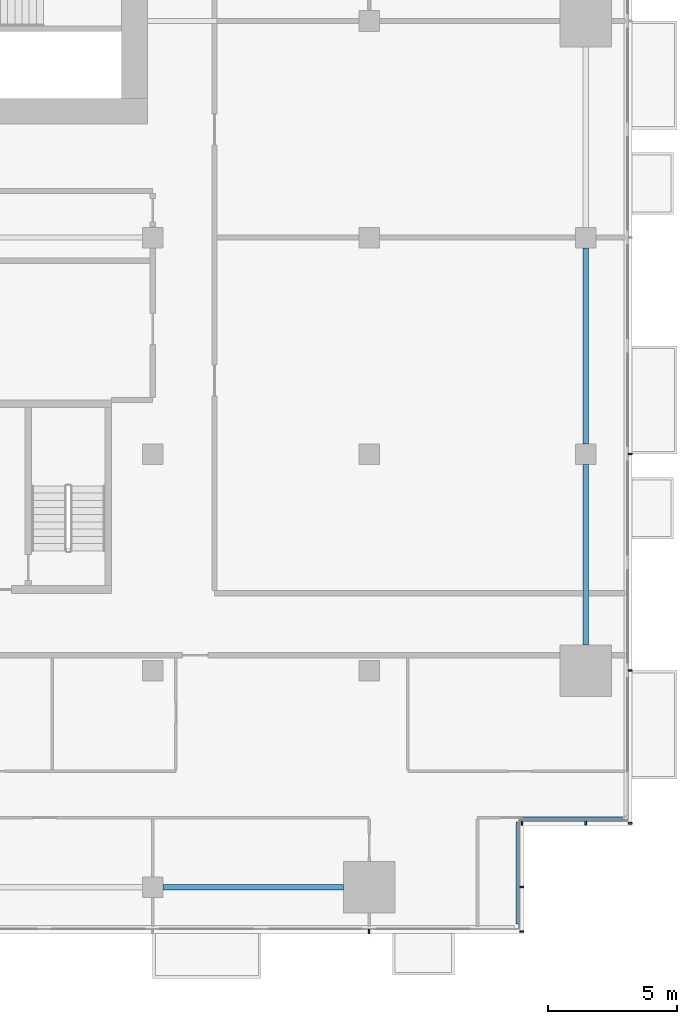
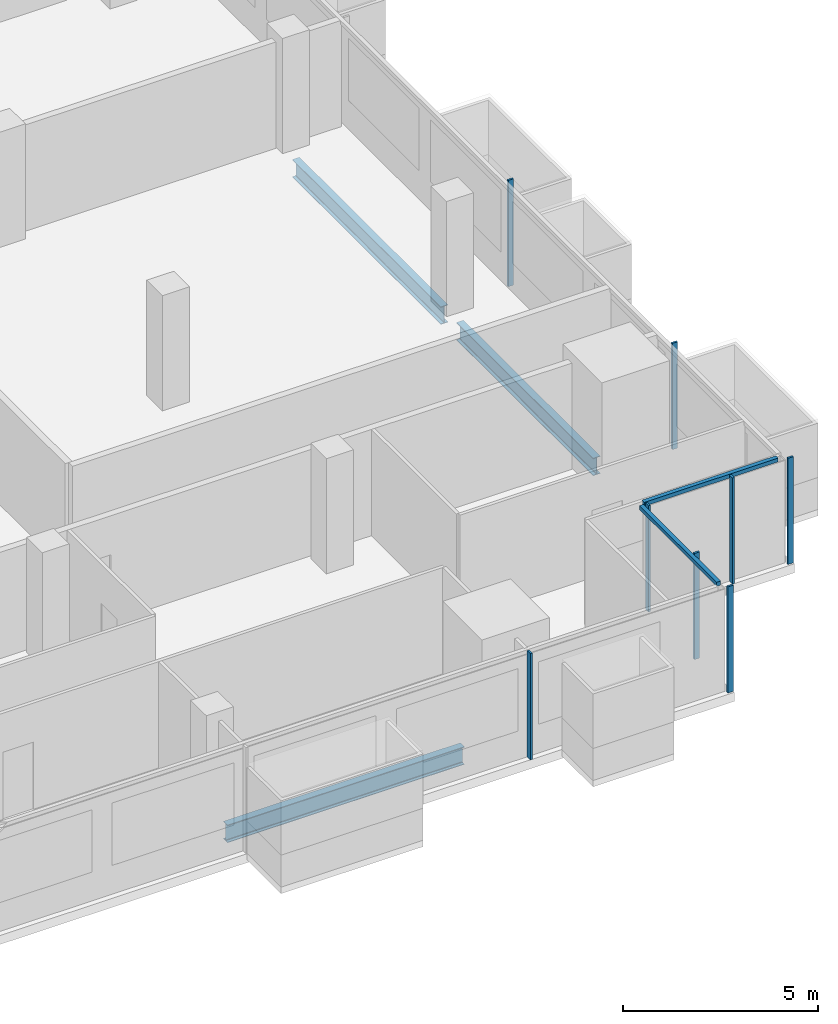
# One storey, part 11 of 26: 10 members, 3 beams, 4 elements without a shape of their own.
"""IFC4 building model written with IfcOpenShell, lengths in metres."""

from ifc_helpers import new_model, si_unit, direction, frame, origin, origin_2d, place, context, subcontext, project, spatial, rectangle, i_section, extrude, material, material_profile, profile_set, type_object, element, aggregate, save


model = new_model("IFC4")

# Units and contexts
model_context = context("Model", 3, precision=1e-05, world=origin(), true_north=direction((0.0, 1.0)))
body_context = subcontext(model_context, "Body", "Model", "MODEL_VIEW")
ifc_project = project(units=[si_unit("LENGTHUNIT", "METRE"), si_unit("AREAUNIT", "SQUARE_METRE"), si_unit("VOLUMEUNIT", "CUBIC_METRE"), si_unit("PLANEANGLEUNIT", "RADIAN"), si_unit("MASSUNIT", "GRAM", prefix="KILO")], contexts=[model_context])

# Site, building, storey
site_placement = place(None, origin())
site = spatial("IfcSite", under=ifc_project, at=site_placement, CompositionType="ELEMENT")
building_placement = place(site_placement, origin())
building = spatial("IfcBuilding", under=site, at=building_placement, Name="Saffron Gate Tower", CompositionType="ELEMENT")
storey_placement = place(building_placement, frame((0.0, 0.0, 98.85009765625)))
storey = spatial("IfcBuildingStorey", under=building, at=storey_placement, Name="L22", CompositionType="ELEMENT", Elevation=98.85009765625)

# Beams
ifc_material_1 = material(Name="Structural steel S355", Category="steel")
ifc_material_profile_1 = material_profile(ifc_material_1, i_section(OverallWidth=0.2099609375, OverallDepth=0.550048828125, WebThickness=0.010986328125, FlangeThickness=0.01708984375, FilletRadius=0.02392578125, at=origin_2d()))
ifc_profile_set_1 = profile_set([ifc_material_profile_1], Name="Structural steel S355")
beam_type = type_object("IfcBeamType", Name="B13 IPE 550", PredefinedType="SPANDREL", material=ifc_profile_set_1)
for number, where, z_axis, x_axis, name in (
    (1, (109.0, 31.800048828125, -0.55517578125), (1.0, 0.0, 0.0), (0.0, 1.0, 0.0), "B13 SPANDREL BEAM"),
    (2, (125.39990234375, 41.199951171875, -0.55517578125), (0.0, 1.0, 0.0), (-1.0, 0.0, 0.0), "B13 SPANDREL BEAM"),
):
    element("IfcBeam", number, at=place(storey_placement, frame(where, z_axis=z_axis, x_axis=x_axis)), inside=storey, type_object=beam_type, Name=name, PredefinedType="SPANDREL", context=body_context, shape_type="SweptSolid", body=[
        extrude(i_section(OverallWidth=0.2099609375, OverallDepth=0.550048828125, WebThickness=0.010986328125, FlangeThickness=0.01708984375, FilletRadius=0.02392578125, at=origin_2d()), origin(), (0.0, 0.0, 1.0), 7.0),
    ])
beam_placement = place(storey_placement, frame((125.39990234375, 49.0, -0.55517578125), z_axis=(0.0, 1.0, 0.0), x_axis=(-1.0, 0.0, 0.0)))
element("IfcBeam", 3, at=beam_placement, inside=storey, type_object=beam_type, Name="B13 SPANDREL BEAM", PredefinedType="SPANDREL", context=body_context, shape_type="SweptSolid", body=[
    extrude(i_section(OverallWidth=0.2099609375, OverallDepth=0.550048828125, WebThickness=0.010986328125, FlangeThickness=0.01708984375, FilletRadius=0.02392578125, at=origin_2d()), origin(), (0.0, 0.0, 1.0), 7.60009765625),
])

# Curtain wall, member
ifc_material_2 = material(Name="Aluminium, bronze anodised", Category="aluminium")
curtain_wall_type_1 = type_object("IfcCurtainWallType", Name="CWS1 curtain wall front facade", PredefinedType="NOTDEFINED", material=ifc_material_2)
curtain_wall_1_placement = place(storey_placement, origin())
curtain_wall_1 = element("IfcCurtainWall", 4, at=curtain_wall_1_placement, inside=storey, type_object=curtain_wall_type_1, Name="CWS1 run 1", PredefinedType="NOTDEFINED")
ifc_material_profile_2 = material_profile(ifc_material_2, rectangle(XDim=0.159912109375, YDim=0.06005859375, at=origin_2d()))
ifc_profile_set_2 = profile_set([ifc_material_profile_2], Name="Aluminium, bronze anodised")
member_type_1 = type_object("IfcMemberType", Name="CWS1 mullion 60x160", PredefinedType="MULLION", material=ifc_profile_set_2)
member_1_placement = place(storey_placement, frame((117.0, 30.080078125, 0.0), z_axis=(0.0, 0.0, 1.0), x_axis=(0.0, 1.0, 0.0)))
member_1 = element("IfcMember", 5, at=member_1_placement, type_object=member_type_1, Name="CWS1 mullion 9", PredefinedType="MULLION", context=body_context, shape_type="SweptSolid", body=[
    extrude(rectangle(XDim=0.159912109375, YDim=0.06005859375, at=origin_2d()), origin(), (0.0, 0.0, 1.0), 3.31982421875),
])
aggregate(curtain_wall_1, [member_1])

# Curtain wall, members
curtain_wall_type_2 = type_object("IfcCurtainWallType", Name="CWS2 curtain wall side facades", PredefinedType="NOTDEFINED", material=ifc_material_2)
curtain_wall_2_placement = place(storey_placement, origin())
curtain_wall_2 = element("IfcCurtainWall", 6, at=curtain_wall_2_placement, inside=storey, type_object=curtain_wall_type_2, Name="CWS2 run 4", PredefinedType="NOTDEFINED")
ifc_material_profile_3 = material_profile(ifc_material_2, rectangle(XDim=0.159912109375, YDim=0.06005859375, at=origin_2d()))
ifc_profile_set_3 = profile_set([ifc_material_profile_3], Name="Aluminium, bronze anodised")
member_type_2 = type_object("IfcMemberType", Name="CWS2 mullion 60x160", PredefinedType="MULLION", material=ifc_profile_set_3)
member_2_placement = place(storey_placement, frame((127.1201171875, 34.280029296875, 0.0), z_axis=(0.0, 0.0, 1.0), x_axis=(-1.0, 0.0, 0.0)))
member_2 = element("IfcMember", 7, at=member_2_placement, type_object=member_type_2, Name="CWS2 mullion 1", PredefinedType="MULLION", context=body_context, shape_type="SweptSolid", body=[
    extrude(rectangle(XDim=0.159912109375, YDim=0.06005859375, at=origin_2d()), origin(), (0.0, 0.0, 1.0), 3.31982421875),
])
member_3_placement = place(storey_placement, frame((127.1201171875, 40.199951171875, 0.0), z_axis=(0.0, 0.0, 1.0), x_axis=(-1.0, 0.0, 0.0)))
member_3 = element("IfcMember", 8, at=member_3_placement, type_object=member_type_2, Name="CWS2 mullion 2", PredefinedType="MULLION", context=body_context, shape_type="SweptSolid", body=[
    extrude(rectangle(XDim=0.159912109375, YDim=0.06005859375, at=origin_2d()), origin(), (0.0, 0.0, 1.0), 3.31982421875),
])
member_4_placement = place(storey_placement, frame((127.1201171875, 48.60009765625, 0.0), z_axis=(0.0, 0.0, 1.0), x_axis=(-1.0, 0.0, 0.0)))
member_4 = element("IfcMember", 9, at=member_4_placement, type_object=member_type_2, Name="CWS2 mullion 3", PredefinedType="MULLION", context=body_context, shape_type="SweptSolid", body=[
    extrude(rectangle(XDim=0.159912109375, YDim=0.06005859375, at=origin_2d()), origin(), (0.0, 0.0, 1.0), 3.31982421875),
])
aggregate(curtain_wall_2, [member_2, member_3, member_4])

# Curtain wall, member
curtain_wall_type_3 = type_object("IfcCurtainWallType", Name="CWS4 curtain wall corner returns", PredefinedType="NOTDEFINED", material=ifc_material_2)
curtain_wall_3_placement = place(storey_placement, origin())
curtain_wall_3 = element("IfcCurtainWall", 10, at=curtain_wall_3_placement, inside=storey, type_object=curtain_wall_type_3, Name="CWS4 run 2", PredefinedType="NOTDEFINED")
ifc_material_profile_4 = material_profile(ifc_material_2, rectangle(XDim=0.1201171875, YDim=0.1201171875, at=origin_2d()))
ifc_profile_set_4 = profile_set([ifc_material_profile_4], Name="Aluminium, bronze anodised")
member_type_3 = type_object("IfcMemberType", Name="CWS4 head transom", PredefinedType="USERDEFINED", material=ifc_profile_set_4)
member_5_placement = place(storey_placement, frame((122.751953125, 30.367919921875, 3.260009765625), z_axis=(0.0, 1.0, 0.0), x_axis=(-1.0, 0.0, 0.0)))
member_5 = element("IfcMember", 11, at=member_5_placement, type_object=member_type_3, Name="CWS4 head transom", ObjectType="TRANSOM", PredefinedType="USERDEFINED", context=body_context, shape_type="SweptSolid", body=[
    extrude(rectangle(XDim=0.1201171875, YDim=0.1201171875, at=origin_2d()), origin(), (0.0, 0.0, 1.0), 3.9599609375),
])

curtain_wall_4_placement = place(storey_placement, origin())
curtain_wall_4 = element("IfcCurtainWall", 12, at=curtain_wall_4_placement, inside=storey, type_object=curtain_wall_type_3, Name="CWS4 run 3", PredefinedType="NOTDEFINED")
member_6_placement = place(storey_placement, frame((122.8720703125, 34.447998046875, 3.260009765625), z_axis=(1.0, 0.0, 0.0), x_axis=(0.0, 1.0, 0.0)))
member_6 = element("IfcMember", 13, at=member_6_placement, type_object=member_type_3, Name="CWS4 head transom", ObjectType="TRANSOM", PredefinedType="USERDEFINED", context=body_context, shape_type="SweptSolid", body=[
    extrude(rectangle(XDim=0.1201171875, YDim=0.1201171875, at=origin_2d()), origin(), (0.0, 0.0, 1.0), 3.9599609375),
])

# Member
ifc_material_profile_5 = material_profile(ifc_material_2, rectangle(XDim=0.159912109375, YDim=0.06005859375, at=origin_2d()))
ifc_profile_set_5 = profile_set([ifc_material_profile_5], Name="Aluminium, bronze anodised")
member_type_4 = type_object("IfcMemberType", Name="CWS4 mullion 60x160", PredefinedType="MULLION", material=ifc_profile_set_5)
member_7_placement = place(storey_placement, frame((122.919921875, 30.080078125, 0.0), z_axis=(0.0, 0.0, 1.0), x_axis=(-1.0, 0.0, 0.0)))
member_7 = element("IfcMember", 14, at=member_7_placement, type_object=member_type_4, Name="CWS4 mullion 1", PredefinedType="MULLION", context=body_context, shape_type="SweptSolid", body=[
    extrude(rectangle(XDim=0.159912109375, YDim=0.06005859375, at=origin_2d()), origin(), (0.0, 0.0, 1.0), 3.31982421875),
])

member_8_placement = place(storey_placement, frame((122.919921875, 31.800048828125, 0.0), z_axis=(0.0, 0.0, 1.0), x_axis=(-1.0, 0.0, 0.0)))
member_8 = element("IfcMember", 15, at=member_8_placement, type_object=member_type_4, Name="CWS4 mullion 2", PredefinedType="MULLION", context=body_context, shape_type="SweptSolid", body=[
    extrude(rectangle(XDim=0.159912109375, YDim=0.06005859375, at=origin_2d()), origin(), (0.0, 0.0, 1.0), 3.31982421875),
])

aggregate(curtain_wall_3, [member_7, member_8, member_5])

member_9_placement = place(storey_placement, frame((122.919921875, 34.280029296875, 0.0), z_axis=(0.0, 0.0, 1.0), x_axis=(0.0, 1.0, 0.0)))
member_9 = element("IfcMember", 16, at=member_9_placement, type_object=member_type_4, Name="CWS4 mullion 1", PredefinedType="MULLION", context=body_context, shape_type="SweptSolid", body=[
    extrude(rectangle(XDim=0.159912109375, YDim=0.06005859375, at=origin_2d()), origin(), (0.0, 0.0, 1.0), 3.31982421875),
])

member_10_placement = place(storey_placement, frame((125.39990234375, 34.280029296875, 0.0), z_axis=(0.0, 0.0, 1.0), x_axis=(0.0, 1.0, 0.0)))
member_10 = element("IfcMember", 17, at=member_10_placement, type_object=member_type_4, Name="CWS4 mullion 2", PredefinedType="MULLION", context=body_context, shape_type="SweptSolid", body=[
    extrude(rectangle(XDim=0.159912109375, YDim=0.06005859375, at=origin_2d()), origin(), (0.0, 0.0, 1.0), 3.31982421875),
])

aggregate(curtain_wall_4, [member_9, member_10, member_6])

save(model, "model.ifc")
